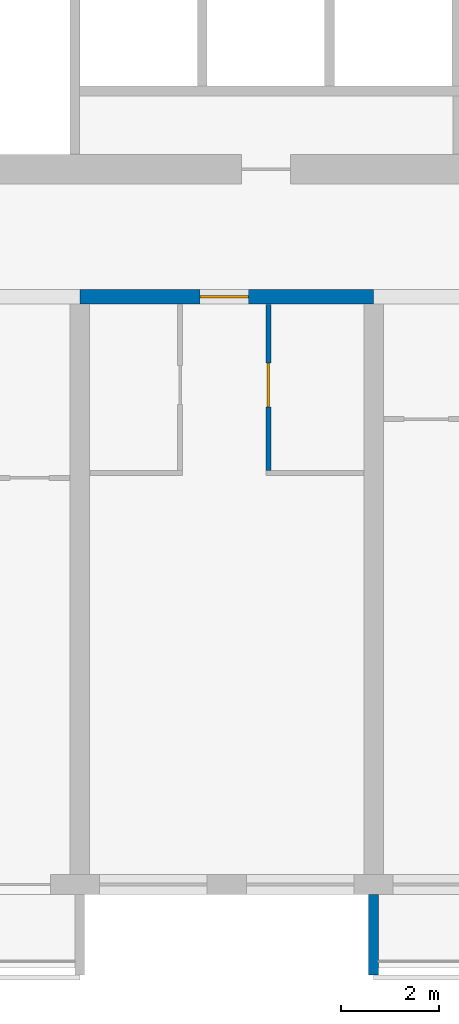
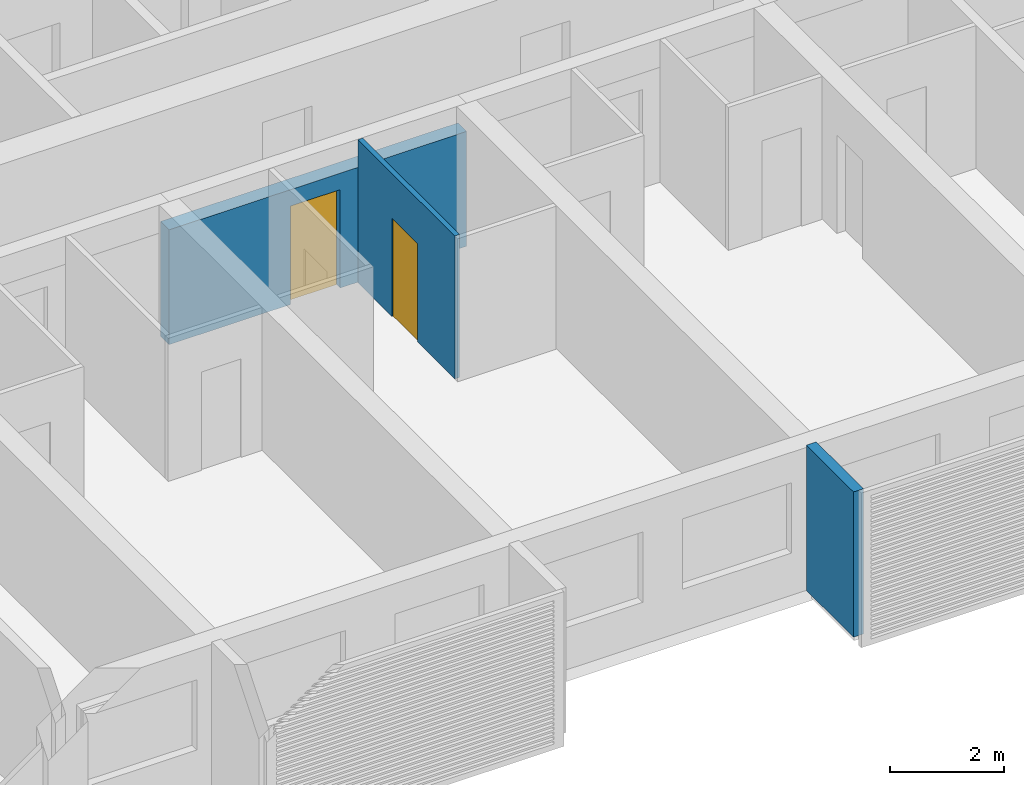
# One storey, part 4 of 38: 3 walls, 2 doors, 2 openings.
"""IFC4 building model written with IfcOpenShell, lengths in metres."""

from ifc_helpers import new_model, si_unit, direction, frame, frame_2d, origin, place, context, subcontext, project, spatial, polyline, rectangle, outline, extrude, source, transform, mapped, material, layer, layer_set, type_object, element, fill, save


model = new_model("IFC4")

# Units and contexts
model_context = context("Model", 3, precision=1e-05, world=origin(), true_north=direction((0.0, 1.0)))
body_context = subcontext(model_context, "Body", "Model", "MODEL_VIEW")
ifc_project = project(units=[si_unit("LENGTHUNIT", "METRE"), si_unit("AREAUNIT", "SQUARE_METRE"), si_unit("VOLUMEUNIT", "CUBIC_METRE"), si_unit("PLANEANGLEUNIT", "RADIAN"), si_unit("MASSUNIT", "GRAM", prefix="KILO")], contexts=[model_context])

# Site, building, storey
site_placement = place(None, origin())
site = spatial("IfcSite", under=ifc_project, at=site_placement, CompositionType="ELEMENT")
building_placement = place(site_placement, origin())
building = spatial("IfcBuilding", under=site, at=building_placement, Name="Poui Terraces", CompositionType="ELEMENT")
storey_placement = place(building_placement, frame((0.0, 0.0, 43.199951171875)))
storey = spatial("IfcBuildingStorey", under=building, at=storey_placement, Name="L11", CompositionType="ELEMENT", Elevation=43.199951171875)

# Wall, opening, door
ifc_material_1 = material(Name="Concrete 80 MPa", Category="concrete")
ifc_layer_1 = layer(ifc_material_1, 0.300048828125)
ifc_layer_set_1 = layer_set([ifc_layer_1], Name="Concrete 80 MPa")
wall_type_1 = type_object("IfcWallType", Name="CORRIDOR WALL 300 80MPa", PredefinedType="SHEAR", material=ifc_layer_set_1)
wall_1_placement = place(storey_placement, frame((42.0, 12.0, 0.0), z_axis=(0.0, 0.0, 1.0), x_axis=(1.0, 0.0, 0.0)))
wall_1 = element("IfcWall", 1, at=wall_1_placement, inside=storey, type_object=wall_type_1, Name="CORRIDOR WALL LINE B BAY 8", PredefinedType="SHEAR", context=body_context, shape_type="SweptSolid", body=[
    extrude(rectangle(XDim=6.0, YDim=0.300048828125, at=frame_2d((3.0, 0.0))), origin(), (0.0, 0.0, 1.0), 2.449951171875),
])
opening_1_placement = place(wall_1_placement, frame((2.449951171875, 0.0, 0.0)))
opening_1 = element("IfcOpeningElement", 2, at=opening_1_placement, cuts=wall_1, Name="Opening FD30S", PredefinedType="OPENING", context=body_context, shape_type="SweptSolid", body=[
    extrude(rectangle(XDim=1.0, YDim=2.10009765625, at=frame_2d((0.5, 1.050048828125))), frame((0.0, 0.16015625, 0.0), z_axis=(0.0, -1.0, 0.0), x_axis=(1.0, 0.0, 0.0)), (0.0, 0.0, 1.0), 0.320068359375),
])
ifc_material_2 = material(Name="Steel fire door", Category="steel")
door_type_1 = type_object("IfcDoorType", Name="FLAT ENTRANCE DOOR 1000 X 2100", OperationType="NOTDEFINED", PredefinedType="DOOR", material=ifc_material_2)
door_1_placement = place(opening_1_placement, frame((1.0, 0.0, 0.0), z_axis=(0.0, 0.0, 1.0), x_axis=(-1.0, 0.0, 0.0)))
door_1 = element("IfcDoor", 3, at=door_1_placement, inside=storey, type_object=door_type_1, Name="FLAT ENTRANCE DOOR 115", OperationType="SINGLE_SWING_RIGHT", OverallHeight=2.10009765625, OverallWidth=1.0, PredefinedType="DOOR", context=body_context, shape_type="SweptSolid", body=[
    extrude(rectangle(XDim=1.0, YDim=2.10009765625, at=frame_2d((0.5, 1.050048828125))), frame((0.0, 0.02490234375, 0.0), z_axis=(0.0, -1.0, 0.0), x_axis=(1.0, 0.0, 0.0)), (0.0, 0.0, 1.0), 0.050048828125),
])
fill(opening_1, door_1)

ifc_material_3 = material(Name="Plasterboard partition")
ifc_layer_2 = layer(ifc_material_3, 0.10009765625)
ifc_layer_set_2 = layer_set([ifc_layer_2], Name="Plasterboard partition")
wall_type_2 = type_object("IfcWallType", Name="FLAT PARTITION 100", PredefinedType="PARTITIONING", material=ifc_layer_set_2)
wall_2_placement = place(storey_placement, frame((45.85009765625, 8.449951171875, 0.0), z_axis=(0.0, 0.0, 1.0), x_axis=(0.0, 1.0, 0.0)))
wall_2 = element("IfcWall", 4, at=wall_2_placement, inside=storey, type_object=wall_type_2, Name="FLAT PARTITION 100", PredefinedType="PARTITIONING", context=body_context, shape_type="SweptSolid", body=[
    extrude(rectangle(XDim=3.39013671875, YDim=0.10009765625, at=frame_2d((1.695068359375, 0.0))), origin(), (0.0, 0.0, 1.0), 3.050048828125),
])
opening_2_placement = place(wall_2_placement, frame((1.300048828125, 0.0, 0.0)))
opening_2 = element("IfcOpeningElement", 5, at=opening_2_placement, cuts=wall_2, Name="Opening D90", PredefinedType="OPENING", context=body_context, shape_type="SweptSolid", body=[
    extrude(rectangle(XDim=0.89990234375, YDim=2.10009765625, at=frame_2d((0.449951171875, 1.050048828125))), frame((0.0, 0.06005859375, 0.0), z_axis=(0.0, -1.0, 0.0), x_axis=(1.0, 0.0, 0.0)), (0.0, 0.0, 1.0), 0.1201171875),
])
ifc_material_4 = material(Name="Solid core timber door", Category="wood")
door_type_2 = type_object("IfcDoorType", Name="INTERNAL DOOR 900 X 2100", OperationType="NOTDEFINED", PredefinedType="DOOR", material=ifc_material_4)
door_2_placement = place(opening_2_placement, frame((0.89990234375, 0.0, 0.0), z_axis=(0.0, 0.0, 1.0), x_axis=(-1.0, 0.0, 0.0)))
door_2 = element("IfcDoor", 6, at=door_2_placement, inside=storey, type_object=door_type_2, Name="INTERNAL DOOR 116", OperationType="SINGLE_SWING_LEFT", OverallHeight=2.10009765625, OverallWidth=0.89990234375, PredefinedType="DOOR", context=body_context, shape_type="SweptSolid", body=[
    extrude(rectangle(XDim=0.89990234375, YDim=2.10009765625, at=frame_2d((0.449951171875, 1.050048828125))), frame((0.0, 0.02490234375, 0.0), z_axis=(0.0, -1.0, 0.0), x_axis=(1.0, 0.0, 0.0)), (0.0, 0.0, 1.0), 0.050048828125),
])
fill(opening_2, door_2)

# Wall
ifc_material_5 = material(Name="Precast concrete 40 MPa", Category="concrete")
ifc_layer_3 = layer(ifc_material_5, 0.199951171875)
ifc_layer_set_3 = layer_set([ifc_layer_3], Name="Precast concrete 40 MPa")
wall_type_3 = type_object("IfcWallType", Name="REAR FIN 200", PredefinedType="STANDARD", material=ifc_layer_set_3)
shared_shape = source(origin(), body_context, "Body", "SweptSolid", [
    extrude(outline(polyline([(0.0, 0.0), (0.2001953125, 0.0), (0.2001953125, 1.650146484375), (0.0, 1.650146484375), (0.0, 0.0)])), origin(), (0.0, 0.0, 1.0), 3.10009765625),
])
wall_3_placement = place(storey_placement, frame((47.89990234375, -1.85009765625, 0.0)))
element("IfcWall", 7, at=wall_3_placement, inside=storey, type_object=wall_type_3, Name="REAR FIN", PredefinedType="STANDARD", context=body_context, shape_type="MappedRepresentation", body=[
    mapped(shared_shape, transform((0.0, 0.0, 0.0))),
])

save(model, "model.ifc")
